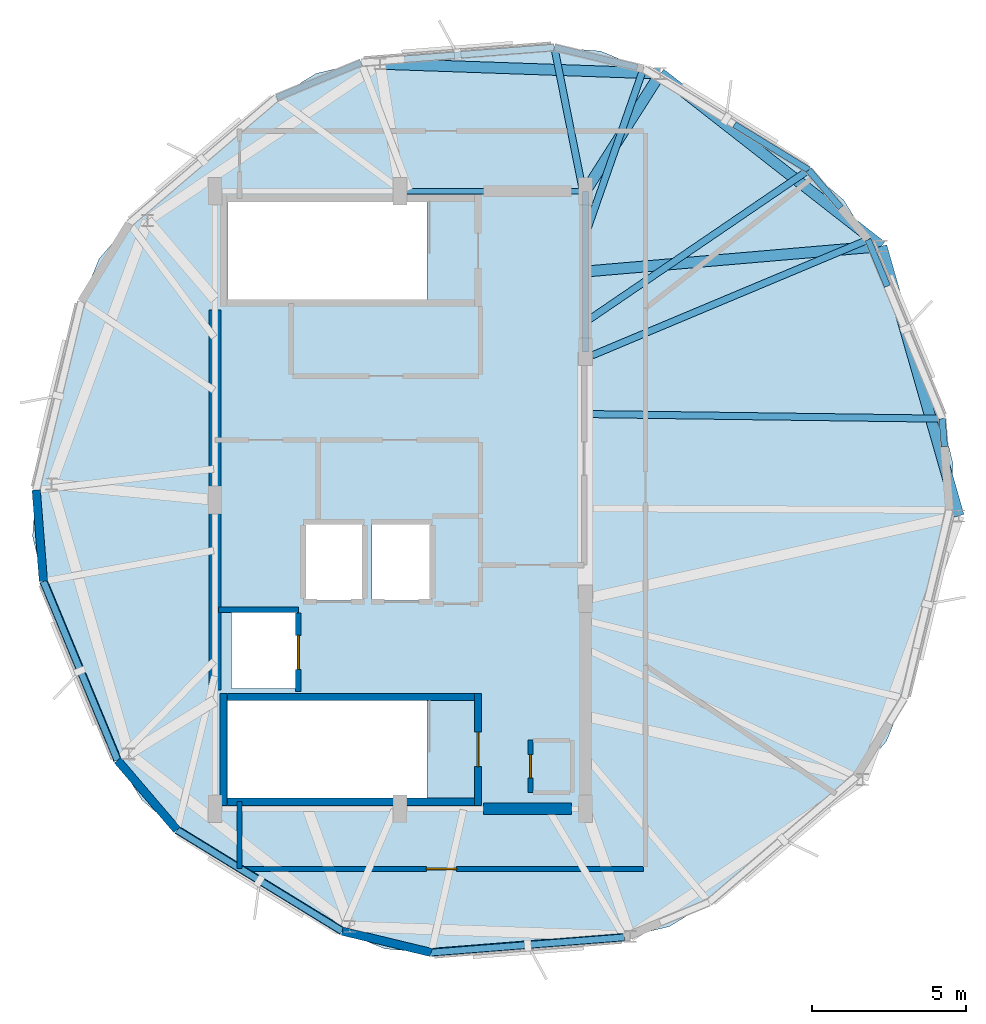
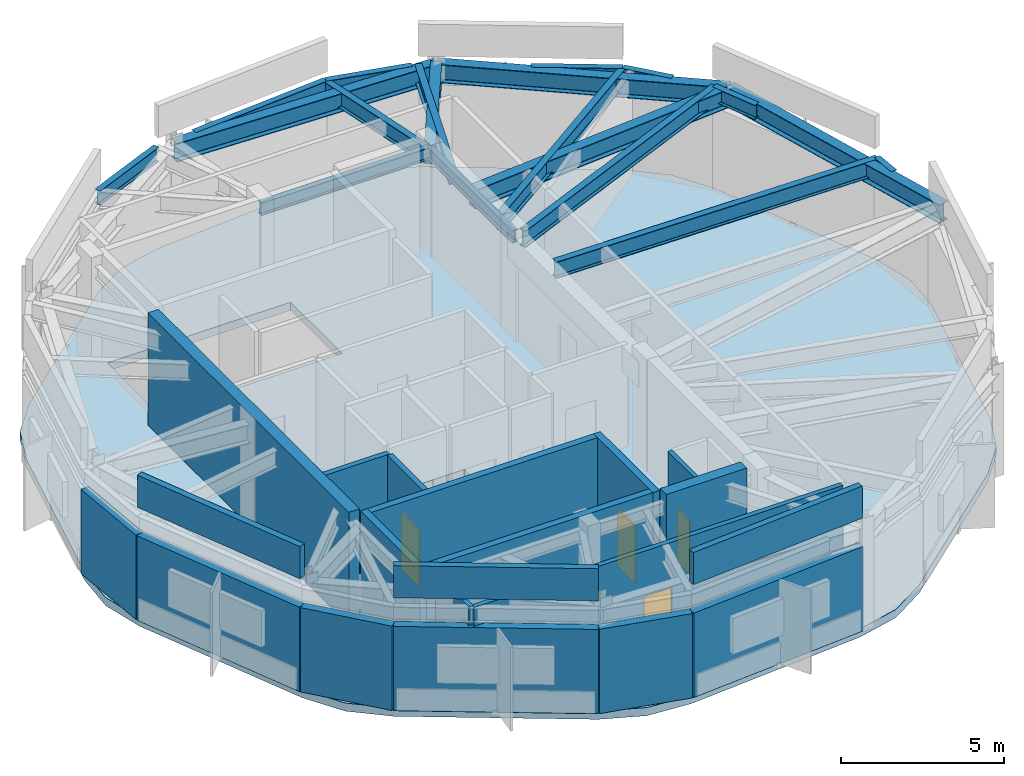
# One storey, part 2 of 5: 20 walls, 19 beams, 4 doors, 1 slab, 4 openings.
"""IFC4 building model written with IfcOpenShell, lengths in metres."""

from ifc_helpers import new_model, si_unit, direction, frame, frame_2d, origin, origin_2d, place, context, subcontext, project, spatial, polyline, rectangle, i_section, outline, extrude, material, layer, layer_set, material_profile, profile_set, type_object, element, fill, save


model = new_model("IFC4")

# Units and contexts
model_context = context("Model", 3, precision=1e-05, world=origin(), true_north=direction((0.0, 1.0)))
body_context = subcontext(model_context, "Body", "Model", "MODEL_VIEW")
ifc_project = project(units=[si_unit("LENGTHUNIT", "METRE"), si_unit("AREAUNIT", "SQUARE_METRE"), si_unit("VOLUMEUNIT", "CUBIC_METRE"), si_unit("PLANEANGLEUNIT", "RADIAN"), si_unit("MASSUNIT", "GRAM", prefix="KILO")], contexts=[model_context])

# Site, building, storey
site_placement = place(None, origin())
site = spatial("IfcSite", under=ifc_project, at=site_placement, CompositionType="ELEMENT")
building_placement = place(site_placement, origin())
building = spatial("IfcBuilding", under=site, at=building_placement, Name="Soratama Intermodal Tower", CompositionType="ELEMENT")
storey_placement = place(building_placement, frame((0.0, 0.0, 318.25)))
storey = spatial("IfcBuildingStorey", under=building, at=storey_placement, Name="L80", CompositionType="ELEMENT", Elevation=318.25)

# Beams
ifc_material_1 = material(Name="Structural steel ASTM A992 Grade 50", Category="steel")
ifc_material_profile_1 = material_profile(ifc_material_1, i_section(OverallWidth=0.19091796875, OverallDepth=0.4599609375, WebThickness=0.010009765625, FlangeThickness=0.01611328125, FilletRadius=0.010986328125, at=origin_2d()), Name="W18X55")
ifc_profile_set_1 = profile_set([ifc_material_profile_1], Name="Structural steel ASTM A992 Grade 50")
beam_type_1 = type_object("IfcBeamType", Name="BM-FLR-W18X55", PredefinedType="BEAM", material=ifc_profile_set_1)
beam_1_placement = place(storey_placement, frame((44.60009765625, 29.800048828125, 3.6201171875), z_axis=(0.0, 1.0, 0.0), x_axis=(-1.0, 0.0, 0.0)))
element("IfcBeam", 1, at=beam_1_placement, inside=storey, type_object=beam_type_1, Name="BM-L80-CRING-05", PredefinedType="BEAM", context=body_context, shape_type="SweptSolid", body=[
    extrude(i_section(OverallWidth=0.19091796875, OverallDepth=0.4599609375, WebThickness=0.010009765625, FlangeThickness=0.01611328125, FilletRadius=0.010986328125, at=origin_2d()), origin(), (0.0, 0.0, 1.0), 5.199951171875),
])
beam_2_placement = place(storey_placement, frame((44.60009765625, 35.0, 3.6201171875), z_axis=(-1.0, 0.0, 0.0), x_axis=(0.0, -1.0, 0.0)))
element("IfcBeam", 2, at=beam_2_placement, inside=storey, type_object=beam_type_1, Name="BM-L80-CRING-06", PredefinedType="BEAM", context=body_context, shape_type="SweptSolid", body=[
    extrude(i_section(OverallWidth=0.19091796875, OverallDepth=0.4599609375, WebThickness=0.010009765625, FlangeThickness=0.01611328125, FilletRadius=0.010986328125, at=origin_2d()), origin(), (0.0, 0.0, 1.0), 6.0),
])
ifc_material_2 = material(Name="Structural steel ASTM A992 Grade 50", Category="steel")
ifc_material_profile_2 = material_profile(ifc_material_2, i_section(OverallWidth=0.35498046875, OverallDepth=0.695068359375, WebThickness=0.015380859375, FlangeThickness=0.02490234375, FilletRadius=0.01611328125, at=origin_2d()), Name="W27X146")
ifc_profile_set_2 = profile_set([ifc_material_profile_2], Name="Structural steel ASTM A992 Grade 50")
beam_type_2 = type_object("IfcBeamType", Name="BM-RING-W27X146", PredefinedType="BEAM", material=ifc_profile_set_2)
beam_3_placement = place(storey_placement, frame((54.18701171875, 33.219970703125, 3.50244140625), z_axis=(-0.78801907717, 0.615650821502, 0.0), x_axis=(-0.615650821502, -0.78801907717, 0.0)))
element("IfcBeam", 3, at=beam_3_placement, inside=storey, type_object=beam_type_2, Name="BM-L80-RING-01", PredefinedType="BEAM", context=body_context, shape_type="SweptSolid", body=[
    extrude(i_section(OverallWidth=0.35498046875, OverallDepth=0.695068359375, WebThickness=0.015380859375, FlangeThickness=0.02490234375, FilletRadius=0.01611328125, at=origin_2d()), origin(), (0.0, 0.0, 1.0), 9.084716796875),
])
beam_4_placement = place(storey_placement, frame((47.028076171875, 38.81298828125, 3.50244140625), z_axis=(-0.999391551516, 0.034878743651, 0.0), x_axis=(-0.034878743651, -0.999391551516, 0.0)))
element("IfcBeam", 4, at=beam_4_placement, inside=storey, type_object=beam_type_2, Name="BM-L80-RING-02", PredefinedType="BEAM", context=body_context, shape_type="SweptSolid", body=[
    extrude(i_section(OverallWidth=0.35498046875, OverallDepth=0.695068359375, WebThickness=0.015380859375, FlangeThickness=0.02490234375, FilletRadius=0.01611328125, at=origin_2d()), origin(), (0.0, 0.0, 1.0), 9.085693359375),
])
beam_5_placement = place(storey_placement, frame((56.69091796875, 24.487060546875, 3.50244140625), z_axis=(-0.275615442928, 0.961267979088, 0.0), x_axis=(-0.961267979088, -0.275615442928, 0.0)))
element("IfcBeam", 5, at=beam_5_placement, inside=storey, type_object=beam_type_2, Name="BM-L80-RING-10", PredefinedType="BEAM", context=body_context, shape_type="SweptSolid", body=[
    extrude(i_section(OverallWidth=0.35498046875, OverallDepth=0.695068359375, WebThickness=0.015380859375, FlangeThickness=0.02490234375, FilletRadius=0.01611328125, at=origin_2d()), origin(), (0.0, 0.0, 1.0), 9.084716796875),
])
beam_6_placement = place(storey_placement, frame((44.60009765625, 32.39990234375, 3.50244140625), z_axis=(0.996361377068, 0.085229139899, 0.0), x_axis=(-0.085229139899, 0.996361377068, 0.0)))
element("IfcBeam", 6, at=beam_6_placement, inside=storey, type_object=beam_type_2, Name="BM-L80-RAD-01", PredefinedType="BEAM", context=body_context, shape_type="SweptSolid", body=[
    extrude(i_section(OverallWidth=0.35498046875, OverallDepth=0.695068359375, WebThickness=0.015380859375, FlangeThickness=0.02490234375, FilletRadius=0.01611328125, at=origin_2d()), origin(), (0.0, 0.0, 1.0), 9.621826171875),
])
beam_7_placement = place(storey_placement, frame((44.60009765625, 35.0, 3.50244140625), z_axis=(0.537116603261, 0.843508005001, 0.0), x_axis=(-0.843508005001, 0.537116603261, 0.0)))
element("IfcBeam", 7, at=beam_7_placement, inside=storey, type_object=beam_type_2, Name="BM-L80-RAD-02", PredefinedType="BEAM", context=body_context, shape_type="SweptSolid", body=[
    extrude(i_section(OverallWidth=0.35498046875, OverallDepth=0.695068359375, WebThickness=0.015380859375, FlangeThickness=0.02490234375, FilletRadius=0.01611328125, at=origin_2d()), origin(), (0.0, 0.0, 1.0), 4.5205078125),
])
ifc_material_3 = material(Name="Structural steel ASTM A992 Grade 50", Category="steel")
ifc_material_profile_3 = material_profile(ifc_material_3, i_section(OverallWidth=0.2099609375, OverallDepth=0.537109375, WebThickness=0.010986328125, FlangeThickness=0.017333984375, FilletRadius=0.012939453125, at=origin_2d()), Name="W21X68")
ifc_profile_set_3 = profile_set([ifc_material_profile_3], Name="Structural steel ASTM A992 Grade 50")
beam_type_3 = type_object("IfcBeamType", Name="BM-SPN-W21X68", PredefinedType="SPANDREL", material=ifc_profile_set_3)
beam_8_placement = place(storey_placement, frame((43.593994140625, 39.657958984375, 3.58154296875), z_axis=(-0.996906830039, -0.078592443791, 0.0), x_axis=(0.078592443791, -0.996906830039, 0.0)))
element("IfcBeam", 8, at=beam_8_placement, inside=storey, type_object=beam_type_3, Name="BS-L80-F01", PredefinedType="SPANDREL", context=body_context, shape_type="SweptSolid", body=[
    extrude(i_section(OverallWidth=0.2099609375, OverallDepth=0.537109375, WebThickness=0.010986328125, FlangeThickness=0.017333984375, FilletRadius=0.012939453125, at=origin_2d()), origin(), (0.0, 0.0, 1.0), 4.8740234375),
])
beam_9_placement = place(storey_placement, frame((37.337890625, 39.1650390625, 3.58154296875), z_axis=(-0.923919553077, -0.38258679988, 0.0), x_axis=(0.38258679988, -0.923919553077, 0.0)))
element("IfcBeam", 9, at=beam_9_placement, inside=storey, type_object=beam_type_3, Name="BS-L80-CRN01", PredefinedType="SPANDREL", context=body_context, shape_type="SweptSolid", body=[
    extrude(i_section(OverallWidth=0.2099609375, OverallDepth=0.537109375, WebThickness=0.010986328125, FlangeThickness=0.017333984375, FilletRadius=0.012939453125, at=origin_2d()), origin(), (0.0, 0.0, 1.0), 2.966552734375),
])
beam_10_placement = place(storey_placement, frame((56.22705078125, 26.73095703125, 3.58154296875), z_axis=(-0.078427592717, 0.996919812573, 0.0), x_axis=(-0.996919812573, -0.078427592717, 0.0)))
element("IfcBeam", 10, at=beam_10_placement, inside=storey, type_object=beam_type_3, Name="BS-L80-CRN08", PredefinedType="SPANDREL", context=body_context, shape_type="SweptSolid", body=[
    extrude(i_section(OverallWidth=0.2099609375, OverallDepth=0.537109375, WebThickness=0.010986328125, FlangeThickness=0.017333984375, FilletRadius=0.012939453125, at=origin_2d()), origin(), (0.0, 0.0, 1.0), 0.90576171875),
])
beam_11_placement = place(storey_placement, frame((54.37890625, 31.924072265625, 3.58154296875), z_axis=(-0.382616209997, 0.923907374063, 0.0), x_axis=(-0.923907374063, -0.382616209997, 0.0)))
element("IfcBeam", 11, at=beam_11_placement, inside=storey, type_object=beam_type_3, Name="BS-L80-F09", PredefinedType="SPANDREL", context=body_context, shape_type="SweptSolid", body=[
    extrude(i_section(OverallWidth=0.2099609375, OverallDepth=0.537109375, WebThickness=0.010986328125, FlangeThickness=0.017333984375, FilletRadius=0.012939453125, at=origin_2d()), origin(), (0.0, 0.0, 1.0), 1.630859375),
])
beam_12_placement = place(storey_placement, frame((52.867919921875, 34.468994140625, 3.58154296875), z_axis=(-0.649359152557, 0.760481880777, 0.0), x_axis=(-0.760481880777, -0.649359152557, 0.0)))
element("IfcBeam", 12, at=beam_12_placement, inside=storey, type_object=beam_type_3, Name="BS-L80-CRN09", PredefinedType="SPANDREL", context=body_context, shape_type="SweptSolid", body=[
    extrude(i_section(OverallWidth=0.2099609375, OverallDepth=0.537109375, WebThickness=0.010986328125, FlangeThickness=0.017333984375, FilletRadius=0.012939453125, at=origin_2d()), origin(), (0.0, 0.0, 1.0), 1.6015625),
])
beam_13_placement = place(storey_placement, frame((51.827880859375, 35.68701171875, 3.58154296875), z_axis=(-0.852664722301, 0.522458487674, 0.0), x_axis=(-0.522458487674, -0.852664722301, 0.0)))
element("IfcBeam", 13, at=beam_13_placement, inside=storey, type_object=beam_type_3, Name="BS-L80-F10", PredefinedType="SPANDREL", context=body_context, shape_type="SweptSolid", body=[
    extrude(i_section(OverallWidth=0.2099609375, OverallDepth=0.537109375, WebThickness=0.010986328125, FlangeThickness=0.017333984375, FilletRadius=0.012939453125, at=origin_2d()), origin(), (0.0, 0.0, 1.0), 2.819091796875),
])
beam_14_placement = place(storey_placement, frame((46.283935546875, 39.011962890625, 3.58154296875), z_axis=(-0.972353646873, 0.233513137559, 0.0), x_axis=(-0.233513137559, -0.972353646873, 0.0)))
element("IfcBeam", 14, at=beam_14_placement, inside=storey, type_object=beam_type_3, Name="BS-L80-CRN10", PredefinedType="SPANDREL", context=body_context, shape_type="SweptSolid", body=[
    extrude(i_section(OverallWidth=0.2099609375, OverallDepth=0.537109375, WebThickness=0.010986328125, FlangeThickness=0.017333984375, FilletRadius=0.012939453125, at=origin_2d()), origin(), (0.0, 0.0, 1.0), 2.766357421875),
])
ifc_material_4 = material(Name="Structural steel ASTM A992 Grade 50", Category="steel")
ifc_material_profile_4 = material_profile(ifc_material_4, i_section(OverallWidth=0.22900390625, OverallDepth=0.612060546875, WebThickness=0.011962890625, FlangeThickness=0.01953125, FilletRadius=0.012939453125, at=origin_2d()), Name="W24X84")
ifc_profile_set_4 = profile_set([ifc_material_profile_4], Name="Structural steel ASTM A992 Grade 50")
beam_type_4 = type_object("IfcBeamType", Name="BM-TIE-W24X84", PredefinedType="BEAM", material=ifc_profile_set_4)
beam_15_placement = place(storey_placement, frame((44.512939453125, 35.0390625, 3.5439453125), z_axis=(-0.195129065234, 0.980777573103, 0.0), x_axis=(-0.980777573103, -0.195129065234, 0.0)))
element("IfcBeam", 15, at=beam_15_placement, inside=storey, type_object=beam_type_4, Name="BM-L80-TIE0-01", PredefinedType="BEAM", context=body_context, shape_type="SweptSolid", body=[
    extrude(i_section(OverallWidth=0.22900390625, OverallDepth=0.612060546875, WebThickness=0.011962890625, FlangeThickness=0.01953125, FilletRadius=0.012939453125, at=origin_2d()), origin(), (0.0, 0.0, 1.0), 4.70947265625),
])
beam_16_placement = place(storey_placement, frame((44.8349609375, 27.781005859375, 3.5439453125), z_axis=(0.999915741219, -0.01298115797, 0.0), x_axis=(0.01298115797, 0.999915741219, 0.0)))
element("IfcBeam", 16, at=beam_16_placement, inside=storey, type_object=beam_type_4, Name="BM-L80-TIE0-09", PredefinedType="BEAM", context=body_context, shape_type="SweptSolid", body=[
    extrude(i_section(OverallWidth=0.22900390625, OverallDepth=0.612060546875, WebThickness=0.011962890625, FlangeThickness=0.01953125, FilletRadius=0.012939453125, at=origin_2d()), origin(), (0.0, 0.0, 1.0), 11.322021484375),
])
beam_17_placement = place(storey_placement, frame((44.81689453125, 29.68310546875, 3.5439453125), z_axis=(0.922208581275, 0.38669281429, 0.0), x_axis=(-0.38669281429, 0.922208581275, 0.0)))
element("IfcBeam", 17, at=beam_17_placement, inside=storey, type_object=beam_type_4, Name="BM-L80-TIE1-09", PredefinedType="BEAM", context=body_context, shape_type="SweptSolid", body=[
    extrude(i_section(OverallWidth=0.22900390625, OverallDepth=0.612060546875, WebThickness=0.011962890625, FlangeThickness=0.01953125, FilletRadius=0.012939453125, at=origin_2d()), origin(), (0.0, 0.0, 1.0), 9.69189453125),
])
beam_18_placement = place(storey_placement, frame((44.633056640625, 30.785888671875, 3.5439453125), z_axis=(0.826464597571, 0.562988693459, 0.0), x_axis=(-0.562988693459, 0.826464597571, 0.0)))
element("IfcBeam", 18, at=beam_18_placement, inside=storey, type_object=beam_type_4, Name="BM-L80-TIE0-10", PredefinedType="BEAM", context=body_context, shape_type="SweptSolid", body=[
    extrude(i_section(OverallWidth=0.22900390625, OverallDepth=0.612060546875, WebThickness=0.011962890625, FlangeThickness=0.01953125, FilletRadius=0.012939453125, at=origin_2d()), origin(), (0.0, 0.0, 1.0), 8.70556640625),
])
beam_19_placement = place(storey_placement, frame((44.613037109375, 33.6259765625, 3.5439453125), z_axis=(0.329767724975, 0.944062099422, 0.0), x_axis=(-0.944062099422, 0.329767724975, 0.0)))
element("IfcBeam", 19, at=beam_19_placement, inside=storey, type_object=beam_type_4, Name="BM-L80-TIE1-10", PredefinedType="BEAM", context=body_context, shape_type="SweptSolid", body=[
    extrude(i_section(OverallWidth=0.22900390625, OverallDepth=0.612060546875, WebThickness=0.011962890625, FlangeThickness=0.01953125, FilletRadius=0.012939453125, at=origin_2d()), origin(), (0.0, 0.0, 1.0), 5.655517578125),
])

# Slab
ifc_material_5 = material(Name="Concrete f'c 42 MPa", Category="concrete")
ifc_layer_1 = layer(ifc_material_5, 0.260009765625)
ifc_layer_set_1 = layer_set([ifc_layer_1], Name="Concrete f'c 42 MPa")
slab_type = type_object("IfcSlabType", Name="SL-CRN-260", PredefinedType="FLOOR", material=ifc_layer_set_1)
slab_placement = place(storey_placement, frame((0.0, 0.0, -0.304931640625)))
element("IfcSlab", 20, at=slab_placement, inside=storey, type_object=slab_type, Name="L80 Structural Floor Slab", PredefinedType="FLOOR", context=body_context, shape_type="SweptSolid", body=[
    extrude(outline(polyline([(46.478271484375, 38.965087890625), (45.0908203125, 39.539794921875), (43.593505859375, 39.65771484375), (37.337890625, 39.165283203125), (35.877685546875, 38.814697265625), (34.597412109375, 38.030029296875), (29.82568359375, 33.954833984375), (28.8505859375, 32.81298828125), (28.27587890625, 31.425537109375), (26.810791015625, 25.323974609375), (26.693115234375, 23.826904296875), (27.043701171875, 22.366455078125), (29.445068359375, 16.5693359375), (30.229736328125, 15.288818359375), (31.37158203125, 14.3134765625), (36.7216796875, 11.034912109375), (38.109375, 10.460205078125), (39.6064453125, 10.34228515625), (45.862060546875, 10.834716796875), (47.322265625, 11.185302734375), (48.602783203125, 11.969970703125), (53.374267578125, 16.045166015625), (54.349609375, 17.18701171875), (54.92431640625, 18.574462890625), (56.38916015625, 24.676025390625), (56.5068359375, 26.173095703125), (56.15625, 27.633544921875), (53.7548828125, 33.4306640625), (52.97021484375, 34.711181640625), (51.828369140625, 35.6865234375), (46.478271484375, 38.965087890625)]), holes=[polyline([(33.0, 15.35009765625), (39.47509765625, 15.35009765625), (39.47509765625, 18.5), (33.0, 18.5), (33.0, 15.35009765625)]), polyline([(33.139892578125, 21.409912109375), (33.139892578125, 18.889892578125), (35.260009765625, 18.889892578125), (35.260009765625, 21.409912109375), (33.139892578125, 21.409912109375)]), polyline([(35.489990234375, 24.260009765625), (35.489990234375, 21.739990234375), (37.409912109375, 21.739990234375), (37.409912109375, 24.260009765625), (35.489990234375, 24.260009765625)]), polyline([(39.610107421875, 24.260009765625), (37.68994140625, 24.260009765625), (37.68994140625, 21.739990234375), (39.610107421875, 21.739990234375), (39.610107421875, 24.260009765625)]), polyline([(33.0, 34.64990234375), (33.0, 31.5), (39.47509765625, 31.5), (39.47509765625, 34.64990234375), (33.0, 34.64990234375)])]), origin(), (0.0, 0.0, 1.0), 0.304931640625),
])

# Walls
ifc_material_6 = material(Name="Concrete f'c 42 MPa", Category="concrete")
ifc_layer_2 = layer(ifc_material_6, 0.27001953125)
ifc_layer_set_2 = layer_set([ifc_layer_2], Name="Concrete f'c 42 MPa")
wall_type_1 = type_object("IfcWallType", Name="EW-CRN-270", PredefinedType="SOLIDWALL", material=ifc_layer_set_2)
wall_1_placement = place(storey_placement, frame((26.810791015625, 25.323974609375, 0.0), z_axis=(0.0, 0.0, 1.0), x_axis=(0.078508783602, -0.996913421967, 0.0)))
element("IfcWall", 21, at=wall_1_placement, inside=storey, type_object=wall_type_1, Name="L80 Corner Closure Wall 03", PredefinedType="SOLIDWALL", context=body_context, shape_type="SweptSolid", body=[
    extrude(rectangle(XDim=2.966796875, YDim=0.27001953125, at=frame_2d((1.4833984375, 0.0))), origin(), (0.0, 0.0, 1.0), 3.14990234375),
])
wall_2_placement = place(storey_placement, frame((29.445068359375, 16.5693359375, 0.0), z_axis=(0.0, 0.0, 1.0), x_axis=(0.649414474036, -0.760434639474, 0.0)))
element("IfcWall", 22, at=wall_2_placement, inside=storey, type_object=wall_type_1, Name="L80 Corner Closure Wall 04", PredefinedType="SOLIDWALL", context=body_context, shape_type="SweptSolid", body=[
    extrude(rectangle(XDim=2.966552734375, YDim=0.27001953125, at=frame_2d((1.4833984375, 0.0))), origin(), (0.0, 0.0, 1.0), 3.14990234375),
])
wall_3_placement = place(storey_placement, frame((27.043701171875, 22.366455078125, 0.0), z_axis=(0.0, 0.0, 1.0), x_axis=(0.382700002881, -0.923872668605, 0.0)))
element("IfcWall", 23, at=wall_3_placement, inside=storey, type_object=wall_type_1, Name="L80 Plant Wall F04", PredefinedType="SOLIDWALL", context=body_context, shape_type="SweptSolid", body=[
    extrude(rectangle(XDim=6.27490234375, YDim=0.27001953125, at=frame_2d((3.137451171875, 0.0))), origin(), (0.0, 0.0, 1.0), 3.14990234375),
])
wall_4_placement = place(storey_placement, frame((36.7216796875, 11.034912109375, 0.0), z_axis=(0.0, 0.0, 1.0), x_axis=(0.972365635375, -0.23346321154, 0.0)))
element("IfcWall", 24, at=wall_4_placement, inside=storey, type_object=wall_type_1, Name="L80 Corner Closure Wall 05", PredefinedType="SOLIDWALL", context=body_context, shape_type="SweptSolid", body=[
    extrude(rectangle(XDim=2.966796875, YDim=0.27001953125, at=frame_2d((1.4833984375, 0.0))), origin(), (0.0, 0.0, 1.0), 3.14990234375),
])
wall_5_placement = place(storey_placement, frame((31.37158203125, 14.3134765625, 0.0), z_axis=(0.0, 0.0, 1.0), x_axis=(0.852638716479, -0.522500927425, 0.0)))
element("IfcWall", 25, at=wall_5_placement, inside=storey, type_object=wall_type_1, Name="L80 Plant Wall F05", PredefinedType="SOLIDWALL", context=body_context, shape_type="SweptSolid", body=[
    extrude(rectangle(XDim=6.274658203125, YDim=0.27001953125, at=frame_2d((3.13720703125, 0.0))), origin(), (0.0, 0.0, 1.0), 3.14990234375),
])
wall_6_placement = place(storey_placement, frame((39.6064453125, 10.34228515625, 0.0), z_axis=(0.0, 0.0, 1.0), x_axis=(0.996916036687, 0.078475574523, 0.0)))
element("IfcWall", 26, at=wall_6_placement, inside=storey, type_object=wall_type_1, Name="L80 Plant Wall F06", PredefinedType="SOLIDWALL", context=body_context, shape_type="SweptSolid", body=[
    extrude(rectangle(XDim=6.27490234375, YDim=0.27001953125, at=frame_2d((3.137451171875, 0.0))), origin(), (0.0, 0.0, 1.0), 3.14990234375),
])
ifc_material_7 = material(Name="Precast concrete f'c 40 MPa", Category="concrete")
ifc_layer_3 = layer(ifc_material_7, 0.219970703125)
ifc_layer_set_3 = layer_set([ifc_layer_3], Name="Precast concrete f'c 40 MPa")
wall_type_2 = type_object("IfcWallType", Name="EW-PARAPET-220", PredefinedType="PARAPET", material=ifc_layer_set_3)
wall_7_placement = place(storey_placement, frame((27.043701171875, 22.366455078125, 4.199951171875), z_axis=(0.0, 0.0, 1.0), x_axis=(0.382700002881, -0.923872668605, 0.0)))
element("IfcWall", 27, at=wall_7_placement, inside=storey, type_object=wall_type_2, Name="L80 Crown Parapet 04", PredefinedType="PARAPET", context=body_context, shape_type="SweptSolid", body=[
    extrude(rectangle(XDim=6.27490234375, YDim=0.219970703125, at=frame_2d((3.137451171875, 0.0))), origin(), (0.0, 0.0, 1.0), 1.199951171875),
])
wall_8_placement = place(storey_placement, frame((31.37158203125, 14.3134765625, 4.199951171875), z_axis=(0.0, 0.0, 1.0), x_axis=(0.852638716479, -0.522500927425, 0.0)))
element("IfcWall", 28, at=wall_8_placement, inside=storey, type_object=wall_type_2, Name="L80 Crown Parapet 05", PredefinedType="PARAPET", context=body_context, shape_type="SweptSolid", body=[
    extrude(rectangle(XDim=6.274658203125, YDim=0.219970703125, at=frame_2d((3.13720703125, 0.0))), origin(), (0.0, 0.0, 1.0), 1.199951171875),
])
wall_9_placement = place(storey_placement, frame((39.6064453125, 10.34228515625, 4.199951171875), z_axis=(0.0, 0.0, 1.0), x_axis=(0.996916036687, 0.078475574523, 0.0)))
element("IfcWall", 29, at=wall_9_placement, inside=storey, type_object=wall_type_2, Name="L80 Crown Parapet 06", PredefinedType="PARAPET", context=body_context, shape_type="SweptSolid", body=[
    extrude(rectangle(XDim=6.27490234375, YDim=0.219970703125, at=frame_2d((3.137451171875, 0.0))), origin(), (0.0, 0.0, 1.0), 1.199951171875),
])

# Wall, opening, door
ifc_material_8 = material(Name="Fire-rated gypsum stud partition", Category="concrete")
ifc_layer_4 = layer(ifc_material_8, 0.14990234375)
ifc_layer_set_4 = layer_set([ifc_layer_4], Name="Fire-rated gypsum stud partition")
wall_type_3 = type_object("IfcWallType", Name="IW-PART-R150", PredefinedType="PARTITIONING", material=ifc_layer_set_4)
wall_10_placement = place(storey_placement, frame((42.820068359375, 15.52001953125, 0.0), z_axis=(0.0, 0.0, 1.0), x_axis=(0.0, 1.0, 0.0)))
wall_10 = element("IfcWall", 30, at=wall_10_placement, inside=storey, type_object=wall_type_3, Name="L80 Riser Front Wall", PredefinedType="PARTITIONING", context=body_context, shape_type="SweptSolid", body=[
    extrude(rectangle(XDim=1.699951171875, YDim=0.14990234375, at=frame_2d((0.85009765625, 0.0))), origin(), (0.0, 0.0, 1.0), 3.85009765625),
])
opening_1_placement = place(wall_10_placement, frame((0.469970703125, 0.0, 0.0)))
opening_1 = element("IfcOpeningElement", 31, at=opening_1_placement, cuts=wall_10, Name="Opening TD-1", PredefinedType="OPENING", context=body_context, shape_type="SweptSolid", body=[
    extrude(rectangle(XDim=0.760009765625, YDim=2.0, at=frame_2d((0.3798828125, 1.0))), frame((0.0, 0.0849609375, 0.0), z_axis=(0.0, -1.0, 0.0), x_axis=(1.0, 0.0, 0.0)), (0.0, 0.0, 1.0), 0.169921875),
])
ifc_material_9 = material(Name="Steel fire door", Category="steel")
door_type_1 = type_object("IfcDoorType", Name="DR-RISER-TRAP", OperationType="NOTDEFINED", PredefinedType="TRAPDOOR", material=ifc_material_9)
door_1_placement = place(opening_1_placement, origin())
door_1 = element("IfcDoor", 32, at=door_1_placement, inside=storey, type_object=door_type_1, Name="L80 Riser Inspection Door", OperationType="SINGLE_SWING_LEFT", OverallHeight=2.0, OverallWidth=0.760009765625, PredefinedType="TRAPDOOR", context=body_context, shape_type="SweptSolid", body=[
    extrude(rectangle(XDim=0.760009765625, YDim=2.0, at=frame_2d((0.3798828125, 1.0))), frame((0.0, 0.02490234375, 0.0), z_axis=(0.0, -1.0, 0.0), x_axis=(1.0, 0.0, 0.0)), (0.0, 0.0, 1.0), 0.050048828125),
])
fill(opening_1, door_1)

ifc_material_10 = material(Name="Fire-rated gypsum stud partition", Category="concrete")
ifc_layer_5 = layer(ifc_material_10, 0.169921875)
ifc_layer_set_5 = layer_set([ifc_layer_5], Name="Fire-rated gypsum stud partition")
wall_type_4 = type_object("IfcWallType", Name="IW-PART-R170", PredefinedType="PARTITIONING", material=ifc_layer_set_5)
wall_11_placement = place(storey_placement, frame((46.47998046875, 13.050048828125, 0.0), z_axis=(0.0, 0.0, 1.0), x_axis=(-1.0, 0.0, 0.0)))
wall_11 = element("IfcWall", 33, at=wall_11_placement, inside=storey, type_object=wall_type_4, Name="L80 Partition W-L80-TP002", PredefinedType="PARTITIONING", context=body_context, shape_type="SweptSolid", body=[
    extrude(rectangle(XDim=13.046875, YDim=0.169921875, at=frame_2d((6.5234375, 0.0))), origin(), (0.0, 0.0, 1.0), 3.85009765625),
])
opening_2_placement = place(wall_11_placement, frame((6.048095703125, 0.0, 0.0)))
opening_2 = element("IfcOpeningElement", 34, at=opening_2_placement, cuts=wall_11, Name="Opening ID-5", PredefinedType="OPENING", context=body_context, shape_type="SweptSolid", body=[
    extrude(rectangle(XDim=0.97998046875, YDim=2.14990234375, at=frame_2d((0.489990234375, 1.074951171875))), frame((0.0, 0.094970703125, 0.0), z_axis=(0.0, -1.0, 0.0), x_axis=(1.0, 0.0, 0.0)), (0.0, 0.0, 1.0), 0.18994140625),
])
ifc_material_11 = material(Name="Solid hardwood acoustic door", Category="wood")
door_type_2 = type_object("IfcDoorType", Name="DR-OFF-980", OperationType="NOTDEFINED", PredefinedType="DOOR", material=ifc_material_11)
door_2_placement = place(opening_2_placement, origin())
door_2 = element("IfcDoor", 35, at=door_2_placement, inside=storey, type_object=door_type_2, Name="L80 Door D-L80-TP002", OperationType="SINGLE_SWING_LEFT", OverallHeight=2.14990234375, OverallWidth=0.97998046875, PredefinedType="DOOR", context=body_context, shape_type="SweptSolid", body=[
    extrude(rectangle(XDim=0.97998046875, YDim=2.14990234375, at=frame_2d((0.489990234375, 1.074951171875))), frame((0.0, 0.02490234375, 0.0), z_axis=(0.0, -1.0, 0.0), x_axis=(1.0, 0.0, 0.0)), (0.0, 0.0, 1.0), 0.050048828125),
])
fill(opening_2, door_2)

# Walls
wall_12_placement = place(storey_placement, frame((33.39990234375, 13.070068359375, 0.0), z_axis=(0.0, 0.0, 1.0), x_axis=(0.0, 1.0, 0.0)))
element("IfcWall", 36, at=wall_12_placement, inside=storey, type_object=wall_type_4, Name="L80 Partition W-L80-TP018", PredefinedType="PARTITIONING", context=body_context, shape_type="SweptSolid", body=[
    extrude(rectangle(XDim=2.159912109375, YDim=0.169921875, at=frame_2d((1.080078125, 0.0))), origin(), (0.0, 0.0, 1.0), 3.85009765625),
])
ifc_material_12 = material(Name="Concrete f'c 42 MPa", Category="concrete")
ifc_layer_6 = layer(ifc_material_12, 0.18505859375)
ifc_layer_set_6 = layer_set([ifc_layer_6], Name="Concrete f'c 42 MPa")
wall_type_5 = type_object("IfcWallType", Name="IW-SHAFT-185", PredefinedType="SOLIDWALL", material=ifc_layer_set_6)
wall_13_placement = place(storey_placement, frame((32.719970703125, 21.449951171875, 0.0), z_axis=(0.0, 0.0, 1.0), x_axis=(1.0, 0.0, 0.0)))
element("IfcWall", 37, at=wall_13_placement, inside=storey, type_object=wall_type_5, Name="L80 SVL-1 Hoistway Wall N", PredefinedType="SOLIDWALL", context=body_context, shape_type="SweptSolid", body=[
    extrude(rectangle(XDim=2.580078125, YDim=0.18505859375, at=frame_2d((1.2900390625, 0.0))), origin(), (0.0, 0.0, 1.0), 3.85009765625),
])

# Wall, opening, door
wall_14_placement = place(storey_placement, frame((35.300048828125, 18.7900390625, 0.0), z_axis=(0.0, 0.0, 1.0), x_axis=(0.0, 1.0, 0.0)))
wall_14 = element("IfcWall", 38, at=wall_14_placement, inside=storey, type_object=wall_type_5, Name="L80 SVL-1 Hoistway Wall E", PredefinedType="SOLIDWALL", context=body_context, shape_type="SweptSolid", body=[
    extrude(rectangle(XDim=2.550048828125, YDim=0.18505859375, at=frame_2d((1.27490234375, 0.0))), origin(), (0.0, 0.0, 1.0), 3.85009765625),
])
opening_3_placement = place(wall_14_placement, frame((0.72509765625, 0.0, 0.0)))
opening_3 = element("IfcOpeningElement", 39, at=opening_3_placement, cuts=wall_14, Name="Opening LD-1", PredefinedType="OPENING", context=body_context, shape_type="SweptSolid", body=[
    extrude(rectangle(XDim=1.10009765625, YDim=2.14990234375, at=frame_2d((0.550048828125, 1.074951171875))), frame((0.0, 0.1025390625, 0.0), z_axis=(0.0, -1.0, 0.0), x_axis=(1.0, 0.0, 0.0)), (0.0, 0.0, 1.0), 0.205078125),
])
ifc_material_13 = material(Name="Steel fire door", Category="steel")
door_type_3 = type_object("IfcDoorType", Name="DR-LIFT-SLIDE", OperationType="NOTDEFINED", PredefinedType="DOOR", material=ifc_material_13)
door_3_placement = place(opening_3_placement, origin())
door_3 = element("IfcDoor", 40, at=door_3_placement, inside=storey, type_object=door_type_3, Name="L80 SVL-1 Sliding Landing Door", OperationType="SLIDING_TO_LEFT", OverallHeight=2.14990234375, OverallWidth=1.10009765625, PredefinedType="DOOR", context=body_context, shape_type="SweptSolid", body=[
    extrude(rectangle(XDim=1.10009765625, YDim=2.14990234375, at=frame_2d((0.550048828125, 1.074951171875))), frame((0.0, 0.02490234375, 0.0), z_axis=(0.0, -1.0, 0.0), x_axis=(1.0, 0.0, 0.0)), (0.0, 0.0, 1.0), 0.050048828125),
])
fill(opening_3, door_3)

# Walls
ifc_material_14 = material(Name="Concrete f'c 56 MPa", Category="concrete")
ifc_layer_7 = layer(ifc_material_14, 0.3798828125)
ifc_layer_set_7 = layer_set([ifc_layer_7], Name="Concrete f'c 56 MPa")
wall_type_6 = type_object("IfcWallType", Name="SW-CORE-380", PredefinedType="SHEAR", material=ifc_layer_set_7)
wall_15_placement = place(storey_placement, frame((32.60009765625, 18.85009765625, 0.0), z_axis=(0.0, 0.0, 1.0), x_axis=(0.0, 1.0, 0.0)))
element("IfcWall", 41, at=wall_15_placement, inside=storey, type_object=wall_type_6, Name="L80 Core Shear Wall CW-WMID", PredefinedType="SHEAR", context=body_context, shape_type="SweptSolid", body=[
    extrude(rectangle(XDim=12.2998046875, YDim=0.3798828125, at=frame_2d((6.14990234375, 0.0))), origin(), (0.0, 0.0, 1.0), 4.199951171875),
])
wall_16_placement = place(storey_placement, frame((41.300048828125, 15.0, 0.0), z_axis=(0.0, 0.0, 1.0), x_axis=(1.0, 0.0, 0.0)))
element("IfcWall", 42, at=wall_16_placement, inside=storey, type_object=wall_type_6, Name="L80 Core Shear Wall CW-SE", PredefinedType="SHEAR", context=body_context, shape_type="SweptSolid", body=[
    extrude(rectangle(XDim=2.849853515625, YDim=0.3798828125, at=frame_2d((1.4248046875, 0.0))), origin(), (0.0, 0.0, 1.0), 4.199951171875),
])
ifc_material_15 = material(Name="Concrete f'c 56 MPa", Category="concrete")
ifc_layer_8 = layer(ifc_material_15, 0.239990234375)
ifc_layer_set_8 = layer_set([ifc_layer_8], Name="Concrete f'c 56 MPa")
wall_type_7 = type_object("IfcWallType", Name="SW-STAIR-240", PredefinedType="SHEAR", material=ifc_layer_set_8)
wall_17_placement = place(storey_placement, frame((32.8798828125, 15.110107421875, 0.0), z_axis=(0.0, 0.0, 1.0), x_axis=(0.0, 1.0, 0.0)))
element("IfcWall", 43, at=wall_17_placement, inside=storey, type_object=wall_type_7, Name="L80 ST-1 Shaft Shear Wall W", PredefinedType="SHEAR", context=body_context, shape_type="SweptSolid", body=[
    extrude(rectangle(XDim=3.6298828125, YDim=0.239990234375, at=frame_2d((1.81494140625, 0.0))), origin(), (0.0, 0.0, 1.0), 4.199951171875),
])

# Wall, opening, door
wall_18_placement = place(storey_placement, frame((41.1201171875, 15.110107421875, 0.0), z_axis=(0.0, 0.0, 1.0), x_axis=(0.0, 1.0, 0.0)))
wall_18 = element("IfcWall", 44, at=wall_18_placement, inside=storey, type_object=wall_type_7, Name="L80 ST-1 Shaft Shear Wall E", PredefinedType="SHEAR", context=body_context, shape_type="SweptSolid", body=[
    extrude(rectangle(XDim=3.6298828125, YDim=0.239990234375, at=frame_2d((1.81494140625, 0.0))), origin(), (0.0, 0.0, 1.0), 4.199951171875),
])
opening_4_placement = place(wall_18_placement, frame((1.2548828125, 0.0, 0.0)))
opening_4 = element("IfcOpeningElement", 45, at=opening_4_placement, cuts=wall_18, Name="Opening SD-1", PredefinedType="OPENING", context=body_context, shape_type="SweptSolid", body=[
    extrude(rectangle(XDim=1.1201171875, YDim=2.14990234375, at=frame_2d((0.56005859375, 1.074951171875))), frame((0.0, 0.1298828125, 0.0), z_axis=(0.0, -1.0, 0.0), x_axis=(1.0, 0.0, 0.0)), (0.0, 0.0, 1.0), 0.260009765625),
])
ifc_material_16 = material(Name="Steel fire door", Category="steel")
door_type_4 = type_object("IfcDoorType", Name="DR-STAIR-FD90", OperationType="NOTDEFINED", PredefinedType="DOOR", material=ifc_material_16)
door_4_placement = place(opening_4_placement, origin())
door_4 = element("IfcDoor", 46, at=door_4_placement, inside=storey, type_object=door_type_4, Name="L80 ST-1 Exit Stair Door", OperationType="SINGLE_SWING_LEFT", OverallHeight=2.14990234375, OverallWidth=1.1201171875, PredefinedType="DOOR", context=body_context, shape_type="SweptSolid", body=[
    extrude(rectangle(XDim=1.1201171875, YDim=2.14990234375, at=frame_2d((0.56005859375, 1.074951171875))), frame((0.0, 0.02490234375, 0.0), z_axis=(0.0, -1.0, 0.0), x_axis=(1.0, 0.0, 0.0)), (0.0, 0.0, 1.0), 0.050048828125),
])
fill(opening_4, door_4)

# Walls
for number, where, z_axis, x_axis, name in (
    (47, (33.0, 15.22998046875, 0.0), (0.0, 0.0, 1.0), (1.0, 0.0, 0.0), "L80 ST-1 Shaft Shear Wall S"),
    (48, (33.0, 18.6201171875, 0.0), (0.0, 0.0, 1.0), (1.0, 0.0, 0.0), "L80 ST-1 Shaft Shear Wall N"),
):
    element("IfcWall", number, at=place(storey_placement, frame(where, z_axis=z_axis, x_axis=x_axis)), inside=storey, type_object=wall_type_7, Name=name, PredefinedType="SHEAR", context=body_context, shape_type="SweptSolid", body=[
        extrude(rectangle(XDim=8.0, YDim=0.239990234375, at=frame_2d((4.0, 0.0))), origin(), (0.0, 0.0, 1.0), 4.199951171875),
    ])

save(model, "model.ifc")
